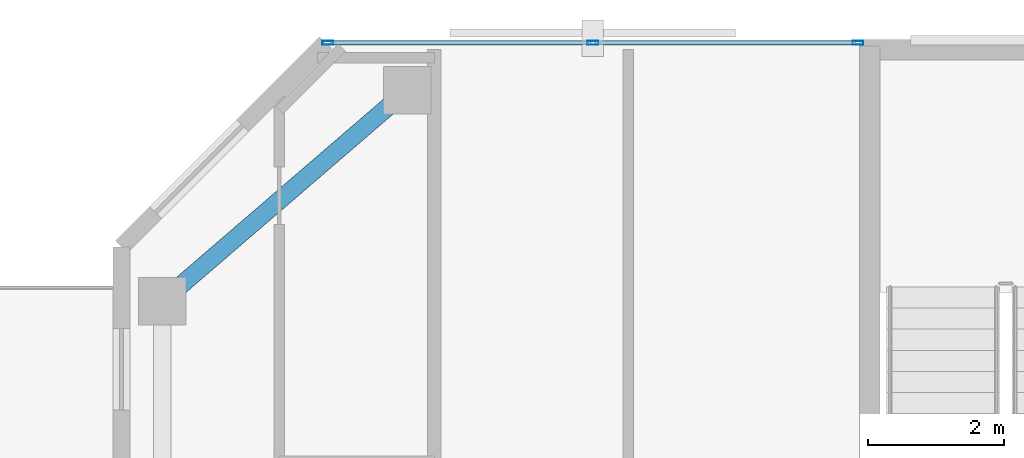
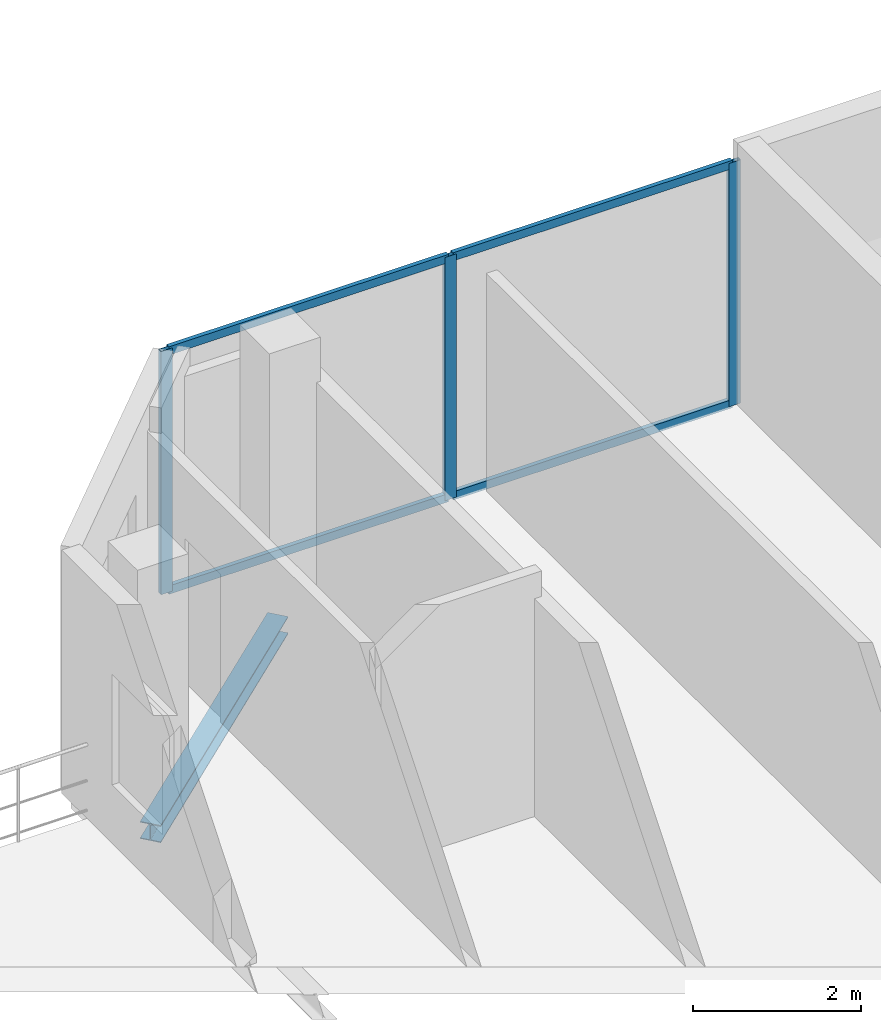
# One storey, part 16 of 23: 7 members, 1 beam, 1 element without a shape of its own.
"""IFC4 building model written with IfcOpenShell, lengths in metres."""

from ifc_helpers import new_model, si_unit, direction, frame, origin, origin_2d, place, context, subcontext, project, spatial, hollow_rectangle, i_section, extrude, material, layer, layer_set, material_profile, profile_set, type_object, element, aggregate, save


model = new_model("IFC4")

# Units and contexts
model_context = context("Model", 3, precision=1e-05, world=origin(), true_north=direction((0.0, 1.0)))
body_context = subcontext(model_context, "Body", "Model", "MODEL_VIEW")
ifc_project = project(units=[si_unit("LENGTHUNIT", "METRE"), si_unit("AREAUNIT", "SQUARE_METRE"), si_unit("VOLUMEUNIT", "CUBIC_METRE"), si_unit("PLANEANGLEUNIT", "RADIAN"), si_unit("MASSUNIT", "GRAM", prefix="KILO")], contexts=[model_context])

# Site, building, storey
site_placement = place(None, origin())
site = spatial("IfcSite", under=ifc_project, at=site_placement, CompositionType="ELEMENT")
building_placement = place(site_placement, origin())
building = spatial("IfcBuilding", under=site, at=building_placement, Name="Catumbela Crestline Tower", CompositionType="ELEMENT")
storey_placement = place(building_placement, frame((0.0, 0.0, 248.8)))
storey = spatial("IfcBuildingStorey", under=building, at=storey_placement, Name="L64", CompositionType="ELEMENT", Elevation=248.8)

# Curtain wall, members
ifc_material_1 = material(Name="Aluminium alloy AW-6060-T66", Category="aluminium")
ifc_layer = layer(ifc_material_1, 0.18, Name="Aluminium alloy AW-6060-T66")
ifc_layer_set = layer_set([ifc_layer], Name="Aluminium alloy AW-6060-T66")
curtain_wall_type = type_object("IfcCurtainWallType", Name="CWU-Z4", PredefinedType="USERDEFINED", material=ifc_layer_set)
curtain_wall_placement = place(storey_placement, origin())
curtain_wall = element("IfcCurtainWall", 1, at=curtain_wall_placement, inside=storey, type_object=curtain_wall_type, Name="L64 Unitised Curtain Wall CW-L64-E7S2", ObjectType="UNITISED", PredefinedType="USERDEFINED")
ifc_material_profile_1 = material_profile(ifc_material_1, hollow_rectangle(XDim=0.06, YDim=0.16, WallThickness=0.004, at=origin_2d()), Name="ALU 160x60x4")
ifc_profile_set_1 = profile_set([ifc_material_profile_1], Name="Aluminium alloy AW-6060-T66")
member_type_1 = type_object("IfcMemberType", Name="MUL-160X60", PredefinedType="MULLION", material=ifc_profile_set_1)
member_1_placement = place(storey_placement, frame((15.8275, 43.0, 0.0), z_axis=(0.0, 0.0, 1.0), x_axis=(0.0, -1.0, 0.0)))
member_1 = element("IfcMember", 2, at=member_1_placement, type_object=member_type_1, Name="CWU-Z4 mullion 1", PredefinedType="MULLION", context=body_context, shape_type="SweptSolid", body=[
    extrude(hollow_rectangle(XDim=0.06, YDim=0.16, WallThickness=0.004, at=origin_2d()), origin(), (0.0, 0.0, 1.0), 3.53),
])
member_2_placement = place(storey_placement, frame((11.93, 43.0, 0.0), z_axis=(0.0, 0.0, 1.0), x_axis=(0.0, -1.0, 0.0)))
member_2 = element("IfcMember", 3, at=member_2_placement, type_object=member_type_1, Name="CWU-Z4 mullion 2", PredefinedType="MULLION", context=body_context, shape_type="SweptSolid", body=[
    extrude(hollow_rectangle(XDim=0.06, YDim=0.16, WallThickness=0.004, at=origin_2d()), origin(), (0.0, 0.0, 1.0), 3.53),
])
member_3_placement = place(storey_placement, frame((8.0325, 43.0, 0.0), z_axis=(0.0, 0.0, 1.0), x_axis=(0.0, -1.0, 0.0)))
member_3 = element("IfcMember", 4, at=member_3_placement, type_object=member_type_1, Name="CWU-Z4 mullion 3", PredefinedType="MULLION", context=body_context, shape_type="SweptSolid", body=[
    extrude(hollow_rectangle(XDim=0.06, YDim=0.16, WallThickness=0.004, at=origin_2d()), origin(), (0.0, 0.0, 1.0), 3.53),
])

# Beam
ifc_material_2 = material(Name="Structural steel S355J2", Category="steel")
ifc_material_profile_2 = material_profile(ifc_material_2, i_section(OverallWidth=0.26, OverallDepth=0.25, WebThickness=0.0075, FlangeThickness=0.0125, FilletRadius=0.024, at=origin_2d()), Name="HEA 260")
ifc_profile_set_2 = profile_set([ifc_material_profile_2], Name="Structural steel S355J2")
beam_type = type_object("IfcBeamType", Name="BS-HEA260", PredefinedType="SPANDREL", material=ifc_profile_set_2)
beam_placement = place(storey_placement, frame((5.6606, 39.2522, -0.385), z_axis=(0.757772392559, 0.652518966066, 0.0), x_axis=(-0.652518966066, 0.757772392559, 0.0)))
element("IfcBeam", 5, at=beam_placement, inside=storey, type_object=beam_type, Name="L64 Spandrel SP-L64-N09", PredefinedType="SPANDREL", context=body_context, shape_type="SweptSolid", body=[
    extrude(i_section(OverallWidth=0.26, OverallDepth=0.25, WebThickness=0.0075, FlangeThickness=0.0125, FilletRadius=0.024, at=origin_2d()), origin(), (0.0, 0.0, 1.0), 4.5908),
])

# Member
ifc_material_profile_3 = material_profile(ifc_material_1, hollow_rectangle(XDim=0.06, YDim=0.12, WallThickness=0.0035, at=origin_2d()), Name="ALU 120x60x3.5")
ifc_profile_set_3 = profile_set([ifc_material_profile_3], Name="Aluminium alloy AW-6060-T66")
member_type_2 = type_object("IfcMemberType", Name="TRN-120X60", PredefinedType="USERDEFINED", material=ifc_profile_set_3)
member_4_placement = place(storey_placement, frame((15.795, 43.0, 0.03), z_axis=(-1.0, 0.0, 0.0), x_axis=(0.0, -1.0, 0.0)))
member_4 = element("IfcMember", 6, at=member_4_placement, type_object=member_type_2, Name="CWU-Z4 transom 1.1", ObjectType="TRANSOM", PredefinedType="USERDEFINED", context=body_context, shape_type="SweptSolid", body=[
    extrude(hollow_rectangle(XDim=0.06, YDim=0.12, WallThickness=0.0035, at=origin_2d()), origin(), (0.0, 0.0, 1.0), 3.8325),
])

member_5_placement = place(storey_placement, frame((15.795, 43.0, 3.5), z_axis=(-1.0, 0.0, 0.0), x_axis=(0.0, -1.0, 0.0)))
member_5 = element("IfcMember", 7, at=member_5_placement, type_object=member_type_2, Name="CWU-Z4 transom 1.2", ObjectType="TRANSOM", PredefinedType="USERDEFINED", context=body_context, shape_type="SweptSolid", body=[
    extrude(hollow_rectangle(XDim=0.06, YDim=0.12, WallThickness=0.0035, at=origin_2d()), origin(), (0.0, 0.0, 1.0), 3.8325),
])

member_6_placement = place(storey_placement, frame((11.8975, 43.0, 0.03), z_axis=(-1.0, 0.0, 0.0), x_axis=(0.0, -1.0, 0.0)))
member_6 = element("IfcMember", 8, at=member_6_placement, type_object=member_type_2, Name="CWU-Z4 transom 2.1", ObjectType="TRANSOM", PredefinedType="USERDEFINED", context=body_context, shape_type="SweptSolid", body=[
    extrude(hollow_rectangle(XDim=0.06, YDim=0.12, WallThickness=0.0035, at=origin_2d()), origin(), (0.0, 0.0, 1.0), 3.8325),
])

member_7_placement = place(storey_placement, frame((11.8975, 43.0, 3.5), z_axis=(-1.0, 0.0, 0.0), x_axis=(0.0, -1.0, 0.0)))
member_7 = element("IfcMember", 9, at=member_7_placement, type_object=member_type_2, Name="CWU-Z4 transom 2.2", ObjectType="TRANSOM", PredefinedType="USERDEFINED", context=body_context, shape_type="SweptSolid", body=[
    extrude(hollow_rectangle(XDim=0.06, YDim=0.12, WallThickness=0.0035, at=origin_2d()), origin(), (0.0, 0.0, 1.0), 3.8325),
])

aggregate(curtain_wall, [member_1, member_2, member_3, member_4, member_5, member_6, member_7])

save(model, "model.ifc")
